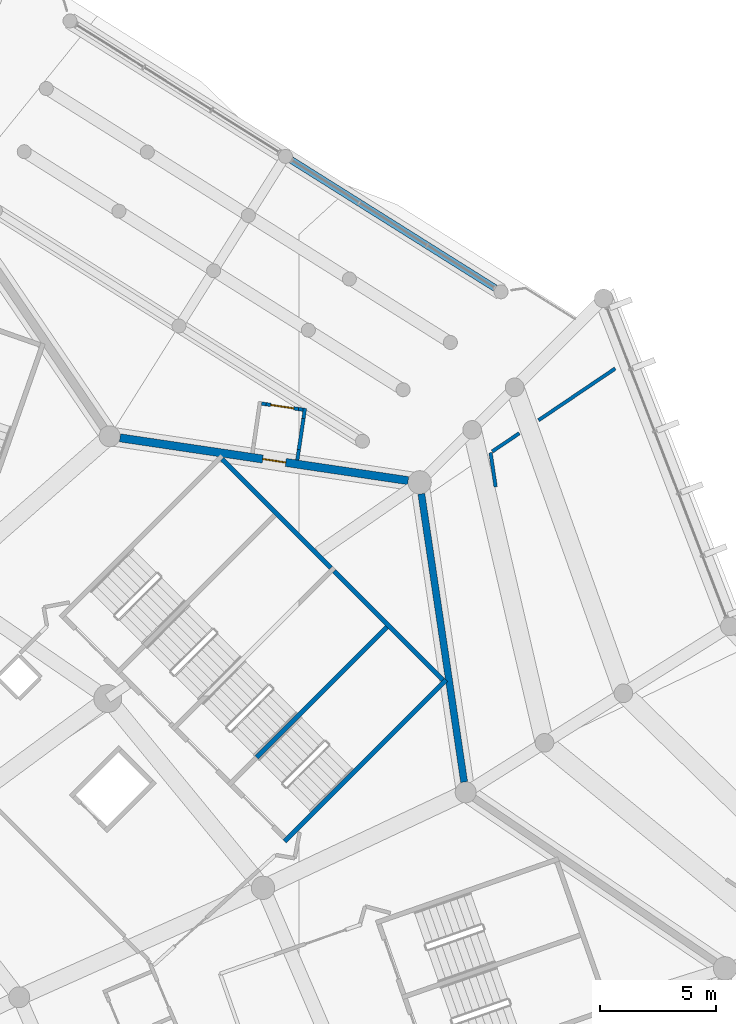
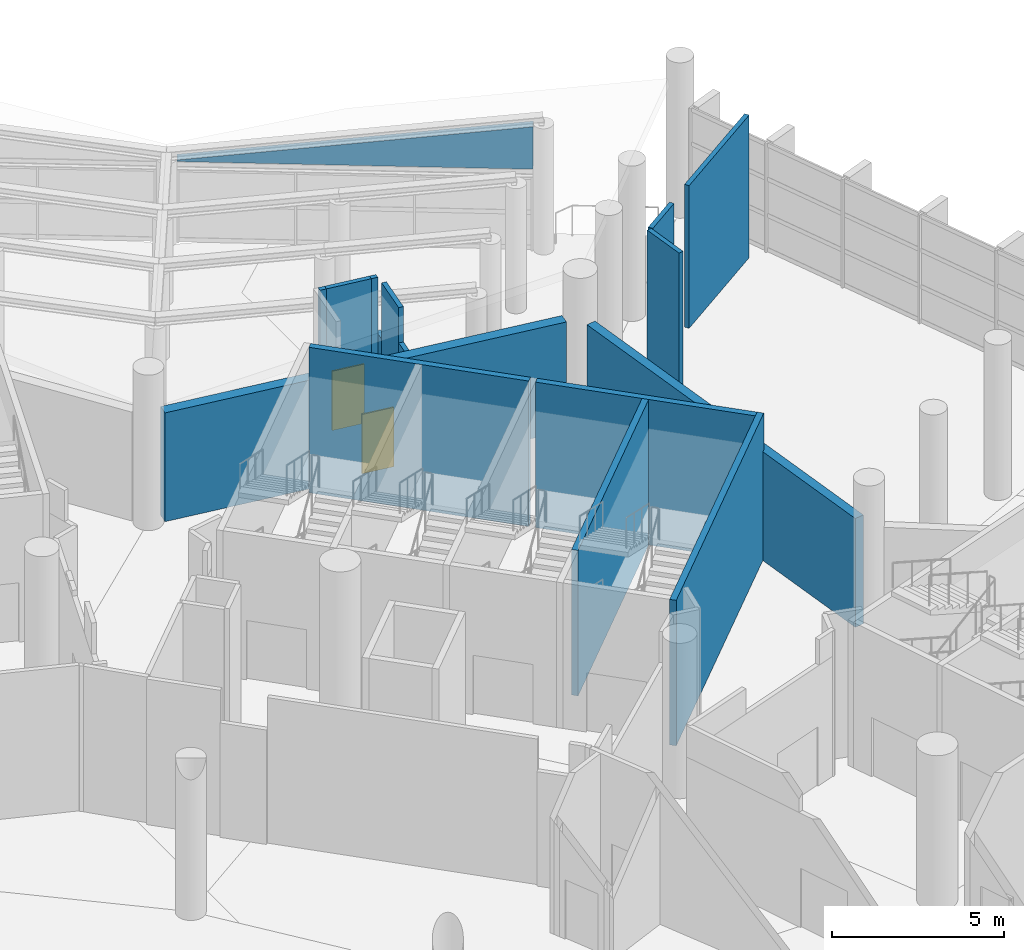
# One storey, part 200 of 271: 16 walls, 2 doors, 2 openings.
"""IFC4 building model written with IfcOpenShell, lengths in metres."""

from ifc_helpers import new_model, si_unit, direction, frame, frame_2d, origin, place, context, subcontext, project, spatial, polyline, rectangle, outline, extrude, material, layer, layer_set, type_object, element, fill, save


model = new_model("IFC4")

# Units and contexts
model_context = context("Model", 3, precision=1e-05, world=origin(), true_north=direction((0.0, 1.0)))
body_context = subcontext(model_context, "Body", "Model", "MODEL_VIEW")
ifc_project = project(units=[si_unit("LENGTHUNIT", "METRE"), si_unit("AREAUNIT", "SQUARE_METRE"), si_unit("VOLUMEUNIT", "CUBIC_METRE"), si_unit("PLANEANGLEUNIT", "RADIAN"), si_unit("MASSUNIT", "GRAM", prefix="KILO")], contexts=[model_context])

# Site, building, storey
site_placement = place(None, origin())
site = spatial("IfcSite", under=ifc_project, at=site_placement, CompositionType="ELEMENT")
building_placement = place(site_placement, origin())
building = spatial("IfcBuilding", under=site, at=building_placement, Name="Meseta Stadium", CompositionType="ELEMENT")
storey_placement = place(building_placement, frame((0.0, 0.0, 6.5)))
storey = spatial("IfcBuildingStorey", under=building, at=storey_placement, Name="L01", CompositionType="ELEMENT", Elevation=6.5)

# Walls
ifc_material_1 = material(Name="Concrete C40/50", Category="concrete")
ifc_layer_1 = layer(ifc_material_1, 0.199951171875)
ifc_layer_set_1 = layer_set([ifc_layer_1], Name="Core divider wall 200")
wall_type_1 = type_object("IfcWallType", Name="Core divider wall 200", PredefinedType="SHEAR", material=ifc_layer_set_1)
wall_1_placement = place(storey_placement, frame((83.90087890625, 83.092529296875, 0.0), z_axis=(0.0, 0.0, 1.0), x_axis=(-0.707106781187, -0.707106781187, 0.0)))
element("IfcWall", 1, at=wall_1_placement, inside=storey, type_object=wall_type_1, Name="Core 07 L01 stair A divider wall", PredefinedType="SHEAR", context=body_context, shape_type="SweptSolid", body=[
    extrude(rectangle(XDim=8.099853515625, YDim=0.199951171875, at=frame_2d((4.0498046875, 0.0))), origin(), (0.0, 0.0, 1.0), 5.14990234375),
])
ifc_material_2 = material(Name="Concrete C40/50", Category="concrete")
ifc_layer_2 = layer(ifc_material_2, 0.199951171875)
ifc_layer_set_2 = layer_set([ifc_layer_2], Name="Core shaft wall 200")
wall_type_2 = type_object("IfcWallType", Name="Core shaft wall 200", PredefinedType="SHEAR", material=ifc_layer_set_2)
wall_2_placement = place(storey_placement, frame((86.30517578125, 80.6884765625, 0.0), z_axis=(0.0, 0.0, 1.0), x_axis=(-0.707106781187, -0.707106781187, 0.0)))
element("IfcWall", 2, at=wall_2_placement, inside=storey, type_object=wall_type_2, Name="Core 07 L01 stair wall A-side", PredefinedType="SHEAR", context=body_context, shape_type="SweptSolid", body=[
    extrude(rectangle(XDim=9.800048828125, YDim=0.199951171875, at=frame_2d((4.89990234375, 0.0))), origin(), (0.0, 0.0, 1.0), 5.14990234375),
])
for number, where, z_axis, x_axis, name in (
    (3, (86.163818359375, 80.6884765625, 0.0), (0.0, 0.0, 1.0), (-0.707125276584, 0.707088285305, 0.0), "Core 07 L01 stair A outer end wall"),
    (4, (81.355224609375, 85.496826171875, 0.0), (0.0, 0.0, 1.0), (-0.707088285305, 0.707125276584, 0.0), "Core 07 L01 stair B outer end wall"),
):
    element("IfcWall", number, at=place(storey_placement, frame(where, z_axis=z_axis, x_axis=x_axis)), inside=storey, type_object=wall_type_2, Name=name, PredefinedType="SHEAR", context=body_context, shape_type="SweptSolid", body=[
        extrude(rectangle(XDim=6.599853515625, YDim=0.199951171875, at=frame_2d((3.2998046875, 0.0))), origin(), (0.0, 0.0, 1.0), 5.14990234375),
    ])
ifc_material_3 = material(Name="Precast concrete C40/50", Category="concrete")
ifc_layer_3 = layer(ifc_material_3, 0.300048828125)
ifc_layer_set_3 = layer_set([ifc_layer_3], Name="Gate facade panel wall 300")
wall_type_3 = type_object("IfcWallType", Name="Gate facade panel wall 300", PredefinedType="SOLIDWALL", material=ifc_layer_set_3)
wall_3_placement = place(storey_placement, frame((88.415283203125, 97.516845703125, 2.924560546875), z_axis=(0.0, 0.0, 1.0), x_axis=(-0.846725649112, 0.532029769032, 0.0)))
element("IfcWall", 5, at=wall_3_placement, inside=storey, type_object=wall_type_3, Name="Gate 2 gable panel wall", PredefinedType="SOLIDWALL", context=body_context, shape_type="SweptSolid", body=[
    extrude(outline(polyline([(0.0, 0.0), (10.333740234375, 0.0), (10.333740234375, 0.052001953125), (0.0, 1.498779296875), (0.0, 0.0)])), frame((0.0, 0.14990234375, 0.0), z_axis=(0.0, -1.0, 0.0), x_axis=(1.0, 0.0, 0.0)), (0.0, 0.0, 1.0), 0.300048828125),
])
ifc_material_4 = material(Name="Masonry blockwork", Category="masonry")
ifc_layer_4 = layer(ifc_material_4, 0.14990234375)
ifc_layer_set_4 = layer_set([ifc_layer_4], Name="Partition 150")
wall_type_4 = type_object("IfcWallType", Name="Partition 150", PredefinedType="PARTITIONING", material=ifc_layer_set_4)
wall_4_placement = place(storey_placement, frame((88.4375, 88.9794921875, 0.0), z_axis=(0.0, 0.0, 1.0), x_axis=(-0.146804847774, 0.989165474868, 0.0)))
element("IfcWall", 6, at=wall_4_placement, inside=storey, type_object=wall_type_4, Name="Partition L01 L01-ring05-0", PredefinedType="PARTITIONING", context=body_context, shape_type="SweptSolid", body=[
    extrude(rectangle(XDim=1.485107421875, YDim=0.14990234375, at=frame_2d((0.74267578125, 0.0))), origin(), (0.0, 0.0, 1.0), 5.050048828125),
])
wall_5_placement = place(storey_placement, frame((88.288330078125, 90.4951171875, 0.0), z_axis=(0.0, 0.0, 1.0), x_axis=(0.828834599632, 0.559493705464, 0.0)))
element("IfcWall", 7, at=wall_5_placement, inside=storey, type_object=wall_type_4, Name="Partition L01 L01-ring05-0", PredefinedType="PARTITIONING", context=body_context, shape_type="SweptSolid", body=[
    extrude(rectangle(XDim=1.40771484375, YDim=0.14990234375, at=frame_2d((0.703857421875, 0.0))), origin(), (0.0, 0.0, 1.0), 5.050048828125),
])
wall_6_placement = place(storey_placement, frame((90.278564453125, 91.838623046875, 0.0), z_axis=(0.0, 0.0, 1.0), x_axis=(0.828823753048, 0.559509773269, 0.0)))
element("IfcWall", 8, at=wall_6_placement, inside=storey, type_object=wall_type_4, Name="Partition L01 L01-ring05-0", PredefinedType="PARTITIONING", context=body_context, shape_type="SweptSolid", body=[
    extrude(rectangle(XDim=3.97509765625, YDim=0.14990234375, at=frame_2d((1.987548828125, 0.0))), origin(), (0.0, 0.0, 1.0), 5.050048828125),
])
wall_7_placement = place(storey_placement, frame((79.918701171875, 90.130859375, 0.0), z_axis=(0.0, 0.0, 1.0), x_axis=(0.147040245885, 0.98913051014, 0.0)))
element("IfcWall", 9, at=wall_7_placement, inside=storey, type_object=wall_type_4, Name="Partition L01 G2-L01-0-GateLounge-0 vestibule", PredefinedType="PARTITIONING", context=body_context, shape_type="SweptSolid", body=[
    extrude(rectangle(XDim=0.449951171875, YDim=0.14990234375, at=frame_2d((0.22509765625, 0.0))), origin(), (0.0, 0.0, 1.0), 3.85009765625),
])
wall_8_placement = place(storey_placement, frame((79.98486328125, 90.575927734375, 0.0), z_axis=(0.0, 0.0, 1.0), x_axis=(0.146837017969, 0.989160699863, 0.0)))
element("IfcWall", 10, at=wall_8_placement, inside=storey, type_object=wall_type_4, Name="Partition L01 G2-L01-0-GateLounge-0 vestibule", PredefinedType="PARTITIONING", context=body_context, shape_type="SweptSolid", body=[
    extrude(rectangle(XDim=1.35009765625, YDim=0.14990234375, at=frame_2d((0.675048828125, 0.0))), origin(), (0.0, 0.0, 1.0), 5.10009765625),
])
wall_9_placement = place(storey_placement, frame((80.18310546875, 91.911376953125, 0.0), z_axis=(0.0, 0.0, 1.0), x_axis=(0.147040245885, 0.98913051014, 0.0)))
element("IfcWall", 11, at=wall_9_placement, inside=storey, type_object=wall_type_4, Name="Partition L01 G2-L01-0-GateLounge-0 vestibule", PredefinedType="PARTITIONING", context=body_context, shape_type="SweptSolid", body=[
    extrude(rectangle(XDim=0.449951171875, YDim=0.14990234375, at=frame_2d((0.22509765625, 0.0))), origin(), (0.0, 0.0, 1.0), 3.106689453125),
])
wall_10_placement = place(storey_placement, frame((80.1640625, 92.293212890625, 0.0), z_axis=(0.0, 0.0, 1.0), x_axis=(-0.989203462354, 0.146548661089, 0.0)))
element("IfcWall", 12, at=wall_10_placement, inside=storey, type_object=wall_type_4, Name="Partition L01 G2-L01-0-GateLounge-0 vestibule", PredefinedType="PARTITIONING", context=body_context, shape_type="SweptSolid", body=[
    extrude(rectangle(XDim=0.199951171875, YDim=0.14990234375, at=frame_2d((0.10009765625, 0.0))), origin(), (0.0, 0.0, 1.0), 5.10009765625),
])

# Wall, opening, door
wall_11_placement = place(storey_placement, frame((79.96630859375, 92.322509765625, 0.0), z_axis=(0.0, 0.0, 1.0), x_axis=(-0.989138771508, 0.146984661446, 0.0)))
wall_11 = element("IfcWall", 13, at=wall_11_placement, inside=storey, type_object=wall_type_4, Name="Partition L01 G2-L01-0-GateLounge-0 vestibule", PredefinedType="PARTITIONING", context=body_context, shape_type="SweptSolid", body=[
    extrude(rectangle(XDim=1.400146484375, YDim=0.14990234375, at=frame_2d((0.7001953125, 0.0))), origin(), (0.0, 0.0, 1.0), 5.10009765625),
])
opening_1_placement = place(wall_11_placement, frame((0.199951171875, 0.0, 0.0)))
opening_1 = element("IfcOpeningElement", 14, at=opening_1_placement, cuts=wall_11, Name="Opening D814", PredefinedType="OPENING", context=body_context, shape_type="SweptSolid", body=[
    extrude(rectangle(XDim=1.0, YDim=2.10009765625, at=frame_2d((0.5, 1.050048828125))), frame((0.0, 0.0849609375, 0.0), z_axis=(0.0, -1.0, 0.0), x_axis=(1.0, 0.0, 0.0)), (0.0, 0.0, 1.0), 0.169921875),
])
ifc_material_5 = material(Name="Steel", Category="steel")
door_type = type_object("IfcDoorType", Name="Fire door 1000x2100 EI2 60", OperationType="NOTDEFINED", PredefinedType="DOOR", material=ifc_material_5)
door_1_placement = place(opening_1_placement, origin())
door_1 = element("IfcDoor", 15, at=door_1_placement, inside=storey, type_object=door_type, Name="Vestibule door L01 G2-L01-0-GateLounge-0", OperationType="SINGLE_SWING_LEFT", OverallHeight=2.10009765625, OverallWidth=1.0, PredefinedType="DOOR", context=body_context, shape_type="SweptSolid", body=[
    extrude(rectangle(XDim=1.0, YDim=2.10009765625, at=frame_2d((0.5, 1.050048828125))), frame((0.0, 0.02490234375, 0.0), z_axis=(0.0, -1.0, 0.0), x_axis=(1.0, 0.0, 0.0)), (0.0, 0.0, 1.0), 0.050048828125),
])
fill(opening_1, door_1)

# Walls
wall_12_placement = place(storey_placement, frame((78.581298828125, 92.5283203125, 0.0), z_axis=(0.0, 0.0, 1.0), x_axis=(-0.989203462354, 0.146548661089, 0.0)))
element("IfcWall", 16, at=wall_12_placement, inside=storey, type_object=wall_type_4, Name="Partition L01 G2-L01-0-GateLounge-0 vestibule", PredefinedType="PARTITIONING", context=body_context, shape_type="SweptSolid", body=[
    extrude(rectangle(XDim=0.199951171875, YDim=0.14990234375, at=frame_2d((0.10009765625, 0.0))), origin(), (0.0, 0.0, 1.0), 5.10009765625),
])
ifc_material_6 = material(Name="White precast concrete C40/50", Category="concrete")
ifc_layer_5 = layer(ifc_material_6, 0.300048828125)
ifc_layer_set_5 = layer_set([ifc_layer_5], Name="Pleated panel wall 300 concourse")
wall_type_5 = type_object("IfcWallType", Name="Pleated panel wall 300 concourse", PredefinedType="SOLIDWALL", material=ifc_layer_set_5)
wall_13_placement = place(storey_placement, frame((85.2470703125, 88.6796875, 0.0), z_axis=(0.0, 0.0, 1.0), x_axis=(0.14684632149, -0.989159318747, 0.0)))
element("IfcWall", 17, at=wall_13_placement, inside=storey, type_object=wall_type_5, Name="Pleated facade panel L01 F11", PredefinedType="SOLIDWALL", context=body_context, shape_type="SweptSolid", body=[
    extrude(rectangle(XDim=12.51416015625, YDim=0.300048828125, at=frame_2d((6.257080078125, 0.0))), origin(), (0.0, 0.0, 1.0), 3.85009765625),
])

# Wall, opening, door
ifc_material_7 = material(Name="White precast concrete C40/50", Category="concrete")
ifc_layer_6 = layer(ifc_material_7, 0.35009765625)
ifc_layer_set_6 = layer_set([ifc_layer_6], Name="Pleated panel wall 350 gate")
wall_type_6 = type_object("IfcWallType", Name="Pleated panel wall 350 gate", PredefinedType="SOLIDWALL", material=ifc_layer_set_6)
wall_14_placement = place(storey_placement, frame((72.30126953125, 91.084716796875, 0.0), z_axis=(0.0, 0.0, 1.0), x_axis=(0.989159318747, -0.14684632149, 0.0)))
wall_14 = element("IfcWall", 18, at=wall_14_placement, inside=storey, type_object=wall_type_6, Name="Pleated facade panel L01 F12", PredefinedType="SOLIDWALL", context=body_context, shape_type="SweptSolid", body=[
    extrude(rectangle(XDim=12.51416015625, YDim=0.35009765625, at=frame_2d((6.257080078125, 0.0))), origin(), (0.0, 0.0, 1.0), 3.85009765625),
])
opening_2_placement = place(wall_14_placement, frame((6.199951171875, 0.0, 0.0)))
opening_2 = element("IfcOpeningElement", 19, at=opening_2_placement, cuts=wall_14, Name="Opening D518", PredefinedType="OPENING", context=body_context, shape_type="SweptSolid", body=[
    extrude(rectangle(XDim=1.0, YDim=2.10009765625, at=frame_2d((0.5, 1.050048828125))), frame((0.0, 0.18505859375, 0.0), z_axis=(0.0, -1.0, 0.0), x_axis=(1.0, 0.0, 0.0)), (0.0, 0.0, 1.0), 0.3701171875),
])
door_2_placement = place(opening_2_placement, frame((1.0, 0.0, 0.0), z_axis=(0.0, 0.0, 1.0), x_axis=(-1.0, 0.0, 0.0)))
door_2 = element("IfcDoor", 20, at=door_2_placement, inside=storey, type_object=door_type, Name="Door D518", OperationType="SINGLE_SWING_LEFT", OverallHeight=2.10009765625, OverallWidth=1.0, PredefinedType="DOOR", context=body_context, shape_type="SweptSolid", body=[
    extrude(rectangle(XDim=1.0, YDim=2.10009765625, at=frame_2d((0.5, 1.050048828125))), frame((0.0, 0.02490234375, 0.0), z_axis=(0.0, -1.0, 0.0), x_axis=(1.0, 0.0, 0.0)), (0.0, 0.0, 1.0), 0.050048828125),
])
fill(opening_2, door_2)

save(model, "model.ifc")
